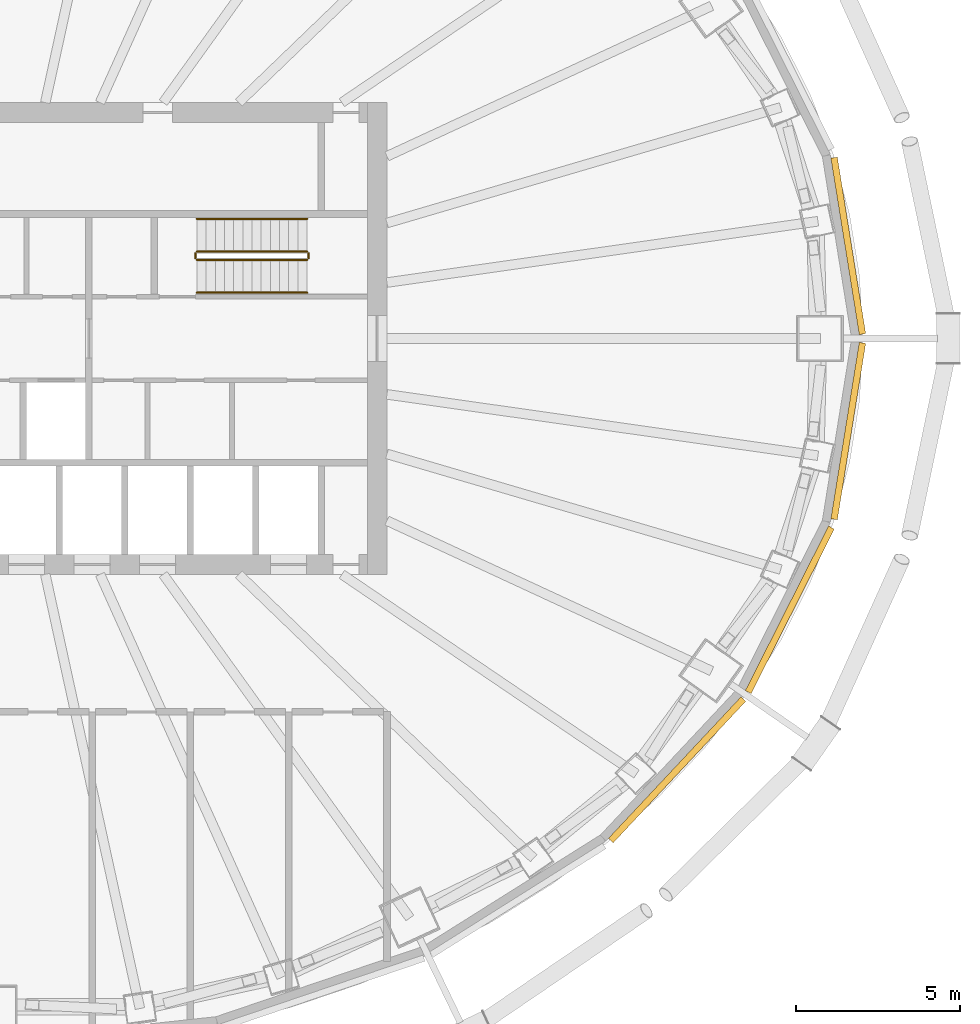
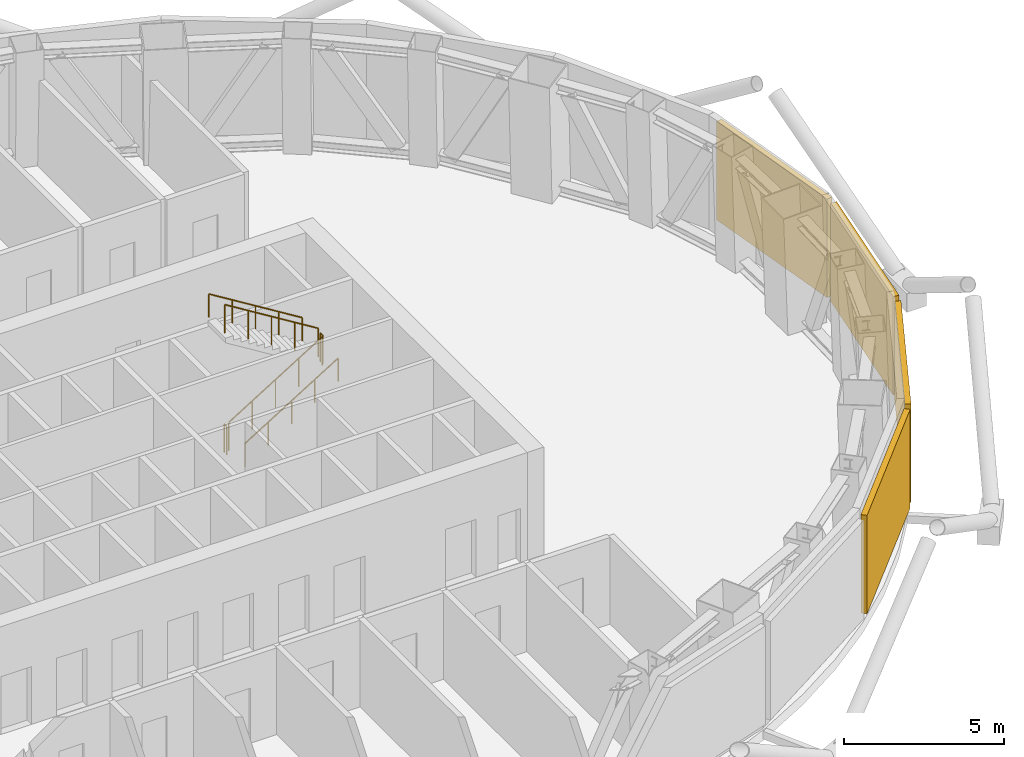
# One storey, part 17 of 18: 6 railings, 4 shading devices.
"""IFC4 building model written with IfcOpenShell, lengths in metres."""

from ifc_helpers import new_model, si_unit, direction, frame, origin, origin_2d, place, context, subcontext, project, spatial, rectangle, circle, extrude, material, layer, layer_set, type_object, element, save


model = new_model("IFC4")

# Units and contexts
model_context = context("Model", 3, precision=1e-05, world=origin(), true_north=direction((0.0, 1.0)))
body_context = subcontext(model_context, "Body", "Model", "MODEL_VIEW")
ifc_project = project(units=[si_unit("LENGTHUNIT", "METRE"), si_unit("AREAUNIT", "SQUARE_METRE"), si_unit("VOLUMEUNIT", "CUBIC_METRE"), si_unit("PLANEANGLEUNIT", "RADIAN"), si_unit("MASSUNIT", "GRAM", prefix="KILO")], contexts=[model_context])

# Site, building, storey
site_placement = place(None, origin())
site = spatial("IfcSite", under=ifc_project, at=site_placement, CompositionType="ELEMENT")
building_placement = place(site_placement, origin())
building = spatial("IfcBuilding", under=site, at=building_placement, Name="Siaravel Broadcast Tower", CompositionType="ELEMENT")
storey_placement = place(building_placement, frame((0.0, 0.0, 92.60009765625)))
storey = spatial("IfcBuildingStorey", under=building, at=storey_placement, Name="L21", CompositionType="ELEMENT", Elevation=92.60009765625)

# Shading devices
ifc_material_1 = material(Name="Bronze anodised aluminium", Category="aluminium")
ifc_layer = layer(ifc_material_1, 0.199951171875)
ifc_layer_set = layer_set([ifc_layer], Name="Bronze anodised aluminium")
shading_device_type = type_object("IfcShadingDeviceType", Name="Plant louvre bank", PredefinedType="USERDEFINED", material=ifc_layer_set)
shading_device_1_placement = place(storey_placement, frame((26.0810546875, 2.82666015625, 0.2998046875), z_axis=(0.0, 0.0, 1.0), x_axis=(-0.158685394, 0.987329198, 0.0)))
element("IfcShadingDevice", 1, at=shading_device_1_placement, inside=storey, type_object=shading_device_type, Name="L21 plant louvre bank 01", ObjectType="LOUVRE", PredefinedType="USERDEFINED", context=body_context, shape_type="SweptSolid", body=[
    extrude(rectangle(XDim=5.4541015625, YDim=0.199951171875, at=origin_2d()), origin(), (0.0, 0.0, 1.0), 3.75),
])
shading_device_2_placement = place(storey_placement, frame((20.853759765625, -13.168212890625, 0.2998046875), z_axis=(0.0, 0.0, 1.0), x_axis=(0.683654718, 0.729805608, 0.0)))
element("IfcShadingDevice", 2, at=shading_device_2_placement, inside=storey, type_object=shading_device_type, Name="L21 plant louvre bank 22", ObjectType="LOUVRE", PredefinedType="USERDEFINED", context=body_context, shape_type="SweptSolid", body=[
    extrude(rectangle(XDim=5.91748046875, YDim=0.199951171875, at=origin_2d()), origin(), (0.0, 0.0, 1.0), 3.75),
])
shading_device_3_placement = place(storey_placement, frame((24.296142578125, -8.28369140625, 0.2998046875), z_axis=(0.0, 0.0, 1.0), x_axis=(0.451260732, 0.892392151, 0.0)))
element("IfcShadingDevice", 3, at=shading_device_3_placement, inside=storey, type_object=shading_device_type, Name="L21 plant louvre bank 23", ObjectType="LOUVRE", PredefinedType="USERDEFINED", context=body_context, shape_type="SweptSolid", body=[
    extrude(rectangle(XDim=5.628173828125, YDim=0.199951171875, at=origin_2d()), origin(), (0.0, 0.0, 1.0), 3.75),
])
shading_device_4_placement = place(storey_placement, frame((26.0810546875, -2.82666015625, 0.2998046875), z_axis=(0.0, 0.0, 1.0), x_axis=(0.158685394, 0.987329198, 0.0)))
element("IfcShadingDevice", 4, at=shading_device_4_placement, inside=storey, type_object=shading_device_type, Name="L21 plant louvre bank 24", ObjectType="LOUVRE", PredefinedType="USERDEFINED", context=body_context, shape_type="SweptSolid", body=[
    extrude(rectangle(XDim=5.4541015625, YDim=0.199951171875, at=origin_2d()), origin(), (0.0, 0.0, 1.0), 3.75),
])

# Railings
ifc_material_2 = material(Name="Stainless steel 316L", Category="steel")
railing_type_1 = type_object("IfcRailingType", Name="Stair guard 1100", PredefinedType="GUARDRAIL", material=ifc_material_2)
railing_1_placement = place(storey_placement, frame((6.199951171875, 2.39990234375, 0.173095703125)))
element("IfcRailing", 5, at=railing_1_placement, inside=storey, type_object=railing_type_1, Name="L21 ST-2 stair guard 1", PredefinedType="GUARDRAIL", context=body_context, shape_type="SweptSolid", body=[
    extrude(circle(Radius=0.02392578125, at=origin_2d()), frame((0.0, 0.0, 1.076171875), z_axis=(0.850623217, 0.0, 0.525775754), x_axis=(0.0, 1.0, 0.0)), (0.0, 0.0, 1.0), 3.9501953125),
    extrude(circle(Radius=0.02099609375, at=origin_2d()), origin(), (0.0, 0.0, 1.0), 1.052001953125),
    extrude(circle(Radius=0.02099609375, at=origin_2d()), frame((0.840087890625, 0.0, 0.519287109375)), (0.0, 0.0, 1.0), 1.052001953125),
    extrude(circle(Radius=0.02099609375, at=origin_2d()), frame((1.68017578125, 0.0, 1.03857421875)), (0.0, 0.0, 1.0), 1.052001953125),
    extrude(circle(Radius=0.02099609375, at=origin_2d()), frame((2.52001953125, 0.0, 1.5576171875)), (0.0, 0.0, 1.0), 1.052001953125),
    extrude(circle(Radius=0.02099609375, at=origin_2d()), frame((3.360107421875, 0.0, 2.076904296875)), (0.0, 0.0, 1.0), 1.052001953125),
])
railing_2_placement = place(storey_placement, frame((9.610107421875, 2.449951171875, 2.25)))
element("IfcRailing", 6, at=railing_2_placement, inside=storey, type_object=railing_type_1, Name="L21 ST-2 stair guard 2", PredefinedType="GUARDRAIL", context=body_context, shape_type="SweptSolid", body=[
    extrude(circle(Radius=0.02392578125, at=origin_2d()), frame((0.0, 0.0, 1.076171875), z_axis=(0.0, 1.0, 0.0), x_axis=(-1.0, 0.0, 0.0)), (0.0, 0.0, 1.0), 0.150146484375),
    extrude(circle(Radius=0.02099609375, at=origin_2d()), origin(), (0.0, 0.0, 1.0), 1.052001953125),
    extrude(circle(Radius=0.02099609375, at=origin_2d()), frame((0.0, 0.150146484375, 0.0)), (0.0, 0.0, 1.0), 1.052001953125),
])
railing_3_placement = place(storey_placement, frame((9.56005859375, 2.64990234375, 2.423095703125)))
element("IfcRailing", 7, at=railing_3_placement, inside=storey, type_object=railing_type_1, Name="L21 ST-2 stair guard 3", PredefinedType="GUARDRAIL", context=body_context, shape_type="SweptSolid", body=[
    extrude(circle(Radius=0.02392578125, at=origin_2d()), frame((0.0, 0.0, 1.076171875), z_axis=(-0.850623217, 0.0, 0.525775754), x_axis=(0.0, -1.0, 0.0)), (0.0, 0.0, 1.0), 3.9501953125),
    extrude(circle(Radius=0.02099609375, at=origin_2d()), origin(), (0.0, 0.0, 1.0), 1.052001953125),
    extrude(circle(Radius=0.02099609375, at=origin_2d()), frame((-0.840087890625, 0.0, 0.519287109375)), (0.0, 0.0, 1.0), 1.052001953125),
    extrude(circle(Radius=0.02099609375, at=origin_2d()), frame((-1.68017578125, 0.0, 1.03857421875)), (0.0, 0.0, 1.0), 1.052001953125),
    extrude(circle(Radius=0.02099609375, at=origin_2d()), frame((-2.52001953125, 0.0, 1.5576171875)), (0.0, 0.0, 1.0), 1.052001953125),
    extrude(circle(Radius=0.02099609375, at=origin_2d()), frame((-3.360107421875, 0.0, 2.076904296875)), (0.0, 0.0, 1.0), 1.052001953125),
])
railing_4_placement = place(storey_placement, frame((6.14990234375, 2.449951171875, 0.0)))
element("IfcRailing", 8, at=railing_4_placement, inside=storey, type_object=railing_type_1, Name="L21 ST-2 stair guard 4", PredefinedType="GUARDRAIL", context=body_context, shape_type="SweptSolid", body=[
    extrude(circle(Radius=0.02392578125, at=origin_2d()), frame((0.0, 0.0, 1.076171875), z_axis=(0.0, 1.0, 0.0), x_axis=(-1.0, 0.0, 0.0)), (0.0, 0.0, 1.0), 0.150146484375),
    extrude(circle(Radius=0.02099609375, at=origin_2d()), origin(), (0.0, 0.0, 1.0), 1.052001953125),
    extrude(circle(Radius=0.02099609375, at=origin_2d()), frame((0.0, 0.150146484375, 0.0)), (0.0, 0.0, 1.0), 1.052001953125),
])
railing_type_2 = type_object("IfcRailingType", Name="Stair handrail 900", PredefinedType="HANDRAIL", material=ifc_material_2)
railing_5_placement = place(storey_placement, frame((6.199951171875, 1.39990234375, 0.173095703125)))
element("IfcRailing", 9, at=railing_5_placement, inside=storey, type_object=railing_type_2, Name="L21 ST-2 stair handrail 1", PredefinedType="HANDRAIL", context=body_context, shape_type="SweptSolid", body=[
    extrude(circle(Radius=0.02392578125, at=origin_2d()), frame((0.0, 0.0, 0.8759765625), z_axis=(0.850623217, 0.0, 0.525775754), x_axis=(0.0, 1.0, 0.0)), (0.0, 0.0, 1.0), 3.9501953125),
    extrude(circle(Radius=0.02099609375, at=origin_2d()), origin(), (0.0, 0.0, 1.0), 0.851806640625),
    extrude(circle(Radius=0.02099609375, at=origin_2d()), frame((0.840087890625, 0.0, 0.519287109375)), (0.0, 0.0, 1.0), 0.851806640625),
    extrude(circle(Radius=0.02099609375, at=origin_2d()), frame((1.68017578125, 0.0, 1.03857421875)), (0.0, 0.0, 1.0), 0.851806640625),
    extrude(circle(Radius=0.02099609375, at=origin_2d()), frame((2.52001953125, 0.0, 1.5576171875)), (0.0, 0.0, 1.0), 0.851806640625),
    extrude(circle(Radius=0.02099609375, at=origin_2d()), frame((3.360107421875, 0.0, 2.076904296875)), (0.0, 0.0, 1.0), 0.851806640625),
])
railing_6_placement = place(storey_placement, frame((9.56005859375, 3.64990234375, 2.423095703125)))
element("IfcRailing", 10, at=railing_6_placement, inside=storey, type_object=railing_type_2, Name="L21 ST-2 stair handrail 2", PredefinedType="HANDRAIL", context=body_context, shape_type="SweptSolid", body=[
    extrude(circle(Radius=0.02392578125, at=origin_2d()), frame((0.0, 0.0, 0.8759765625), z_axis=(-0.850623217, 0.0, 0.525775754), x_axis=(0.0, -1.0, 0.0)), (0.0, 0.0, 1.0), 3.9501953125),
    extrude(circle(Radius=0.02099609375, at=origin_2d()), origin(), (0.0, 0.0, 1.0), 0.851806640625),
    extrude(circle(Radius=0.02099609375, at=origin_2d()), frame((-0.840087890625, 0.0, 0.519287109375)), (0.0, 0.0, 1.0), 0.851806640625),
    extrude(circle(Radius=0.02099609375, at=origin_2d()), frame((-1.68017578125, 0.0, 1.03857421875)), (0.0, 0.0, 1.0), 0.851806640625),
    extrude(circle(Radius=0.02099609375, at=origin_2d()), frame((-2.52001953125, 0.0, 1.5576171875)), (0.0, 0.0, 1.0), 0.851806640625),
    extrude(circle(Radius=0.02099609375, at=origin_2d()), frame((-3.360107421875, 0.0, 2.076904296875)), (0.0, 0.0, 1.0), 0.851806640625),
])

save(model, "model.ifc")
